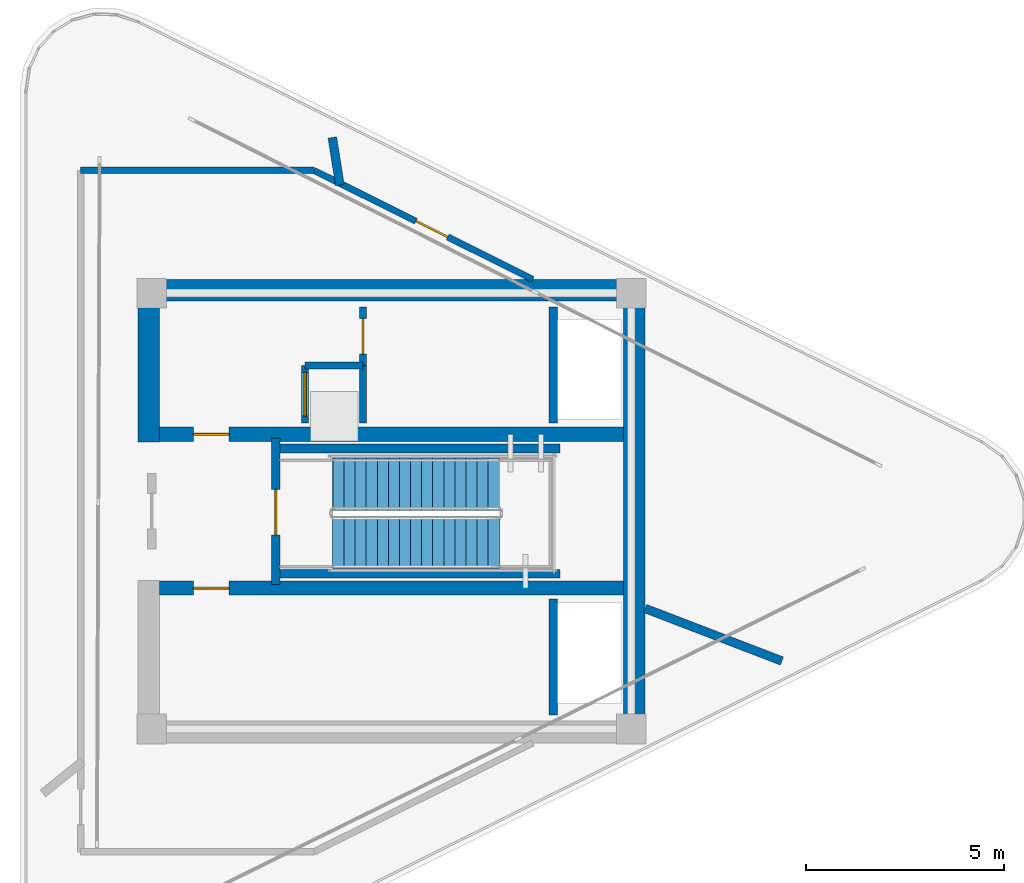
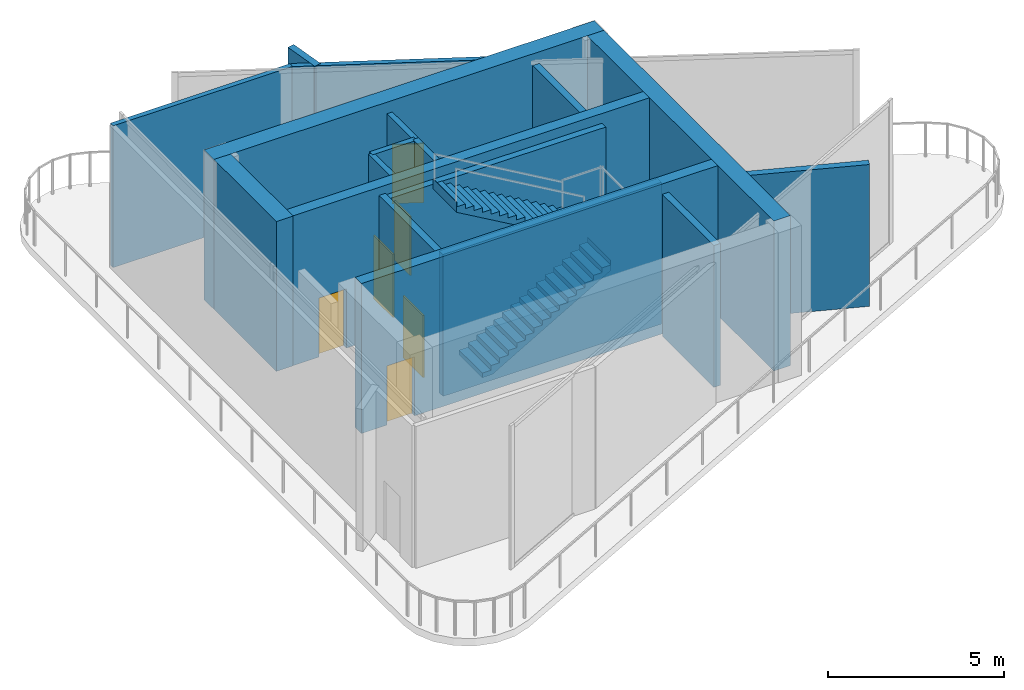
# One storey, part 2 of 5: 18 walls, 6 doors, 2 stair flights, 6 openings, 1 element without a shape of its own.
"""IFC4 building model written with IfcOpenShell, lengths in metres."""

from ifc_helpers import new_model, si_unit, direction, frame, frame_2d, origin, place, context, subcontext, project, spatial, polyline, rectangle, outline, extrude, material, layer, layer_set, type_object, element, fill, aggregate, save


model = new_model("IFC4")

# Units and contexts
model_context = context("Model", 3, precision=1e-05, world=origin(), true_north=direction((0.0, 1.0)))
body_context = subcontext(model_context, "Body", "Model", "MODEL_VIEW")
ifc_project = project(units=[si_unit("LENGTHUNIT", "METRE"), si_unit("AREAUNIT", "SQUARE_METRE"), si_unit("VOLUMEUNIT", "CUBIC_METRE"), si_unit("PLANEANGLEUNIT", "RADIAN"), si_unit("MASSUNIT", "GRAM", prefix="KILO")], contexts=[model_context])

# Site, building, storey
site_placement = place(None, origin())
site = spatial("IfcSite", under=ifc_project, at=site_placement, CompositionType="ELEMENT")
building_placement = place(site_placement, origin())
building = spatial("IfcBuilding", under=site, at=building_placement, Name="Yunling Apex Tower", CompositionType="ELEMENT")
storey_placement = place(building_placement, frame((0.0, 0.0, 328.25)))
storey = spatial("IfcBuildingStorey", under=building, at=storey_placement, Name="C03", CompositionType="ELEMENT", Elevation=328.25)

# Walls
ifc_material_1 = material(Name="Concrete C40", Category="concrete")
ifc_layer_1 = layer(ifc_material_1, 0.550048828125)
ifc_layer_set_1 = layer_set([ifc_layer_1], Name="Concrete C40")
wall_type_1 = type_object("IfcWallType", Name="WL-COR-3", PredefinedType="SHEAR", material=ifc_layer_set_1)
wall_1_placement = place(storey_placement, frame((-6.39990234375, 5.574951171875, 0.0), z_axis=(0.0, 0.0, 1.0), x_axis=(1.0, 0.0, 0.0)))
element("IfcWall", 1, at=wall_1_placement, inside=storey, type_object=wall_type_1, Name="C03 North Core Shear Wall", PredefinedType="SHEAR", context=body_context, shape_type="SweptSolid", body=[
    extrude(rectangle(XDim=12.7998046875, YDim=0.550048828125, at=frame_2d((6.39990234375, 0.0))), origin(), (0.0, 0.0, 1.0), 5.199951171875),
])
wall_2_placement = place(storey_placement, frame((6.125, -5.300048828125, 0.0), z_axis=(0.0, 0.0, 1.0), x_axis=(0.0, 1.0, 0.0)))
element("IfcWall", 2, at=wall_2_placement, inside=storey, type_object=wall_type_1, Name="C03 East Core Shear Wall", PredefinedType="SHEAR", context=body_context, shape_type="SweptSolid", body=[
    extrude(rectangle(XDim=10.60009765625, YDim=0.550048828125, at=frame_2d((5.300048828125, 0.0))), origin(), (0.0, 0.0, 1.0), 5.199951171875),
])
wall_3_placement = place(storey_placement, frame((-6.125, 1.75, 0.0), z_axis=(0.0, 0.0, 1.0), x_axis=(0.0, 1.0, 0.0)))
element("IfcWall", 3, at=wall_3_placement, inside=storey, type_object=wall_type_1, Name="C03 West-North Core Shear Wall", PredefinedType="SHEAR", context=body_context, shape_type="SweptSolid", body=[
    extrude(rectangle(XDim=3.550048828125, YDim=0.550048828125, at=frame_2d((1.77490234375, 0.0))), origin(), (0.0, 0.0, 1.0), 5.199951171875),
])

# Wall, opening, door
ifc_layer_2 = layer(ifc_material_1, 0.360107421875)
ifc_layer_set_2 = layer_set([ifc_layer_2], Name="Concrete C40")
wall_type_2 = type_object("IfcWallType", Name="WL-COR-4", PredefinedType="SHEAR", material=ifc_layer_set_2)
wall_4_placement = place(storey_placement, frame((-5.85009765625, 1.93994140625, 0.0), z_axis=(0.0, 0.0, 1.0), x_axis=(1.0, 0.0, 0.0)))
wall_4 = element("IfcWall", 4, at=wall_4_placement, inside=storey, type_object=wall_type_2, Name="C03 North Internal Core Shear Wall", PredefinedType="SHEAR", context=body_context, shape_type="SweptSolid", body=[
    extrude(rectangle(XDim=11.7001953125, YDim=0.360107421875, at=frame_2d((5.85009765625, 0.0))), origin(), (0.0, 0.0, 1.0), 5.199951171875),
])
opening_1_placement = place(wall_4_placement, frame((0.85009765625, 0.0, 0.0)))
opening_1 = element("IfcOpeningElement", 5, at=opening_1_placement, cuts=wall_4, Name="Opening DR-SHF-1", PredefinedType="OPENING", context=body_context, shape_type="SweptSolid", body=[
    extrude(rectangle(XDim=0.89990234375, YDim=2.050048828125, at=frame_2d((0.449951171875, 1.02490234375))), frame((0.0, 0.18994140625, 0.0), z_axis=(0.0, -1.0, 0.0), x_axis=(1.0, 0.0, 0.0)), (0.0, 0.0, 1.0), 0.380126953125),
])
ifc_material_2 = material(Name="Steel Q355B", Category="steel")
door_type_1 = type_object("IfcDoorType", Name="DR-SHF-1", OperationType="NOTDEFINED", PredefinedType="DOOR", material=ifc_material_2)
door_1_placement = place(opening_1_placement, origin())
door_1 = element("IfcDoor", 6, at=door_1_placement, inside=storey, type_object=door_type_1, Name="C03 North Core Lobby to Fan Plant Door", OperationType="SINGLE_SWING_LEFT", OverallHeight=2.050048828125, OverallWidth=0.89990234375, PredefinedType="DOOR", context=body_context, shape_type="SweptSolid", body=[
    extrude(rectangle(XDim=0.89990234375, YDim=2.050048828125, at=frame_2d((0.449951171875, 1.02490234375))), frame((0.0, 0.02490234375, 0.0), z_axis=(0.0, -1.0, 0.0), x_axis=(1.0, 0.0, 0.0)), (0.0, 0.0, 1.0), 0.050048828125),
])
fill(opening_1, door_1)

wall_5_placement = place(storey_placement, frame((-5.85009765625, -1.93994140625, 0.0), z_axis=(0.0, 0.0, 1.0), x_axis=(1.0, 0.0, 0.0)))
wall_5 = element("IfcWall", 7, at=wall_5_placement, inside=storey, type_object=wall_type_2, Name="C03 South Internal Core Shear Wall", PredefinedType="SHEAR", context=body_context, shape_type="SweptSolid", body=[
    extrude(rectangle(XDim=11.7001953125, YDim=0.360107421875, at=frame_2d((5.85009765625, 0.0))), origin(), (0.0, 0.0, 1.0), 5.199951171875),
])
opening_2_placement = place(wall_5_placement, frame((0.85009765625, 0.0, 0.0)))
opening_2 = element("IfcOpeningElement", 8, at=opening_2_placement, cuts=wall_5, Name="Opening DR-SHF-1", PredefinedType="OPENING", context=body_context, shape_type="SweptSolid", body=[
    extrude(rectangle(XDim=0.89990234375, YDim=2.050048828125, at=frame_2d((0.449951171875, 1.02490234375))), frame((0.0, 0.18994140625, 0.0), z_axis=(0.0, -1.0, 0.0), x_axis=(1.0, 0.0, 0.0)), (0.0, 0.0, 1.0), 0.380126953125),
])
door_2_placement = place(opening_2_placement, origin())
door_2 = element("IfcDoor", 9, at=door_2_placement, inside=storey, type_object=door_type_1, Name="C03 South Core Lobby to Fan Plant Door", OperationType="SINGLE_SWING_RIGHT", OverallHeight=2.050048828125, OverallWidth=0.89990234375, PredefinedType="DOOR", context=body_context, shape_type="SweptSolid", body=[
    extrude(rectangle(XDim=0.89990234375, YDim=2.050048828125, at=frame_2d((0.449951171875, 1.02490234375))), frame((0.0, 0.02490234375, 0.0), z_axis=(0.0, -1.0, 0.0), x_axis=(1.0, 0.0, 0.0)), (0.0, 0.0, 1.0), 0.050048828125),
])
fill(opening_2, door_2)

# Wall
ifc_material_3 = material(Name="Gypsum board acoustic partition")
ifc_layer_3 = layer(ifc_material_3, 0.159912109375)
ifc_layer_set_3 = layer_set([ifc_layer_3], Name="Gypsum board acoustic partition")
wall_type_3 = type_object("IfcWallType", Name="WL-PRT-1", PredefinedType="PARTITIONING", material=ifc_layer_set_3)
wall_6_placement = place(storey_placement, frame((-7.84619140625, 8.60009765625, 0.0), z_axis=(0.0, 0.0, 1.0), x_axis=(1.0, 0.0, 0.0)))
element("IfcWall", 10, at=wall_6_placement, inside=storey, type_object=wall_type_3, Name="WL-C03-CPCR-02", PredefinedType="PARTITIONING", context=body_context, shape_type="SweptSolid", body=[
    extrude(rectangle(XDim=5.8857421875, YDim=0.159912109375, at=frame_2d((2.94287109375, 0.0))), origin(), (0.0, 0.0, 1.0), 4.919921875),
])

# Wall, opening, door
wall_7_placement = place(storey_placement, frame((-1.96044921875, 8.60009765625, 0.0), z_axis=(0.0, 0.0, 1.0), x_axis=(0.895248457737, -0.445567277658, 0.0)))
wall_7 = element("IfcWall", 11, at=wall_7_placement, inside=storey, type_object=wall_type_3, Name="WL-C03-CPCR-03", PredefinedType="PARTITIONING", context=body_context, shape_type="SweptSolid", body=[
    extrude(rectangle(XDim=6.171875, YDim=0.159912109375, at=frame_2d((3.0859375, 0.0))), origin(), (0.0, 0.0, 1.0), 4.919921875),
])
opening_3_placement = place(wall_7_placement, frame((2.8759765625, 0.0, 0.0)))
opening_3 = element("IfcOpeningElement", 12, at=opening_3_placement, cuts=wall_7, Name="Opening DR-SHF-1", PredefinedType="OPENING", context=body_context, shape_type="SweptSolid", body=[
    extrude(rectangle(XDim=0.89990234375, YDim=2.050048828125, at=frame_2d((0.449951171875, 1.02490234375))), frame((0.0, 0.08984375, 0.0), z_axis=(0.0, -1.0, 0.0), x_axis=(1.0, 0.0, 0.0)), (0.0, 0.0, 1.0), 0.179931640625),
])
door_3_placement = place(opening_3_placement, origin())
door_3 = element("IfcDoor", 13, at=door_3_placement, inside=storey, type_object=door_type_1, Name="C03 Gravity Fire Water Tank and Pump Plant Room Door", OperationType="SINGLE_SWING_LEFT", OverallHeight=2.050048828125, OverallWidth=0.89990234375, PredefinedType="DOOR", context=body_context, shape_type="SweptSolid", body=[
    extrude(rectangle(XDim=0.89990234375, YDim=2.050048828125, at=frame_2d((0.449951171875, 1.02490234375))), frame((0.0, 0.02490234375, 0.0), z_axis=(0.0, -1.0, 0.0), x_axis=(1.0, 0.0, 0.0)), (0.0, 0.0, 1.0), 0.050048828125),
])
fill(opening_3, door_3)

ifc_material_4 = material(Name="Autoclaved aerated concrete masonry", Category="masonry")
ifc_layer_4 = layer(ifc_material_4, 0.219970703125)
ifc_layer_set_4 = layer_set([ifc_layer_4], Name="Autoclaved aerated concrete masonry")
wall_type_4 = type_object("IfcWallType", Name="WL-SHF-1", PredefinedType="PLUMBINGWALL", material=ifc_layer_set_4)
wall_8_placement = place(storey_placement, frame((-2.919921875, -1.85009765625, 0.0), z_axis=(0.0, 0.0, 1.0), x_axis=(0.0, 1.0, 0.0)))
wall_8 = element("IfcWall", 14, at=wall_8_placement, inside=storey, type_object=wall_type_4, Name="WL-STC1-W-C03", PredefinedType="PLUMBINGWALL", context=body_context, shape_type="SweptSolid", body=[
    extrude(rectangle(XDim=3.7001953125, YDim=0.219970703125, at=frame_2d((1.85009765625, 0.0))), origin(), (0.0, 0.0, 1.0), 4.919921875),
])
opening_4_placement = place(wall_8_placement, frame((1.25, 0.0, 0.0)))
opening_4 = element("IfcOpeningElement", 15, at=opening_4_placement, cuts=wall_8, Name="Opening DR-ST-1", PredefinedType="OPENING", context=body_context, shape_type="SweptSolid", body=[
    extrude(rectangle(XDim=1.14990234375, YDim=2.14990234375, at=frame_2d((0.574951171875, 1.074951171875))), frame((0.0, 0.1201171875, 0.0), z_axis=(0.0, -1.0, 0.0), x_axis=(1.0, 0.0, 0.0)), (0.0, 0.0, 1.0), 0.239990234375),
])
door_type_2 = type_object("IfcDoorType", Name="DR-ST-1", OperationType="NOTDEFINED", PredefinedType="DOOR", material=ifc_material_2)
door_4_placement = place(opening_4_placement, origin())
door_4 = element("IfcDoor", 16, at=door_4_placement, inside=storey, type_object=door_type_2, Name="C03 Crown Stair Door", OperationType="SINGLE_SWING_RIGHT", OverallHeight=2.14990234375, OverallWidth=1.14990234375, PredefinedType="DOOR", context=body_context, shape_type="SweptSolid", body=[
    extrude(rectangle(XDim=1.14990234375, YDim=2.14990234375, at=frame_2d((0.574951171875, 1.074951171875))), frame((0.0, 0.02490234375, 0.0), z_axis=(0.0, -1.0, 0.0), x_axis=(1.0, 0.0, 0.0)), (0.0, 0.0, 1.0), 0.050048828125),
])
fill(opening_4, door_4)

# Walls
for number, where, z_axis, x_axis, name in (
    (17, (-2.919921875, 1.580078125, 0.0), (0.0, 0.0, 1.0), (1.0, 0.0, 0.0), "WL-STC1-N-C03"),
    (18, (-2.919921875, -1.580078125, 0.0), (0.0, 0.0, 1.0), (1.0, 0.0, 0.0), "WL-STC1-S-C03"),
):
    element("IfcWall", number, at=place(storey_placement, frame(where, z_axis=z_axis, x_axis=x_axis)), inside=storey, type_object=wall_type_4, Name=name, PredefinedType="PLUMBINGWALL", context=body_context, shape_type="SweptSolid", body=[
        extrude(rectangle(XDim=7.169921875, YDim=0.219970703125, at=frame_2d((3.5849609375, 0.0))), origin(), (0.0, 0.0, 1.0), 4.919921875),
    ])
for number, where, z_axis, x_axis, name in (
    (19, (4.080078125, 2.219970703125, 0.0), (0.0, 0.0, 1.0), (0.0, 1.0, 0.0), "WL-OV1-W-C03"),
    (20, (4.080078125, -5.14990234375, 0.0), (0.0, 0.0, 1.0), (0.0, 1.0, 0.0), "WL-OV2-W-C03"),
):
    element("IfcWall", number, at=place(storey_placement, frame(where, z_axis=z_axis, x_axis=x_axis)), inside=storey, type_object=wall_type_4, Name=name, PredefinedType="PLUMBINGWALL", context=body_context, shape_type="SweptSolid", body=[
        extrude(rectangle(XDim=2.929931640625, YDim=0.219970703125, at=frame_2d((1.46484375, 0.0))), origin(), (0.0, 0.0, 1.0), 4.919921875),
    ])
wall_9_placement = place(storey_placement, frame((-1.30322265625, 8.228271484375, 0.0), z_axis=(0.0, 0.0, 1.0), x_axis=(-0.156478301394, 0.987681396602, 0.0)))
element("IfcWall", 21, at=wall_9_placement, inside=storey, type_object=wall_type_4, Name="WL-C03-CDIV-99", PredefinedType="PLUMBINGWALL", context=body_context, shape_type="SweptSolid", body=[
    extrude(rectangle(XDim=1.21533203125, YDim=0.219970703125, at=frame_2d((0.607666015625, 0.0))), origin(), (0.0, 0.0, 1.0), 4.919921875),
])
wall_10_placement = place(storey_placement, frame((6.39990234375, -2.456787109375, 0.0), z_axis=(0.0, 0.0, 1.0), x_axis=(0.933585314896, -0.358355214571, 0.0)))
element("IfcWall", 22, at=wall_10_placement, inside=storey, type_object=wall_type_4, Name="WL-C03-CDIV-339", PredefinedType="PLUMBINGWALL", context=body_context, shape_type="SweptSolid", body=[
    extrude(rectangle(XDim=3.697998046875, YDim=0.219970703125, at=frame_2d((1.84912109375, 0.0))), origin(), (0.0, 0.0, 1.0), 4.919921875),
])

# Wall, opening, door
ifc_layer_5 = layer(ifc_material_4, 0.179931640625)
ifc_layer_set_5 = layer_set([ifc_layer_5], Name="Autoclaved aerated concrete masonry")
wall_type_5 = type_object("IfcWallType", Name="WL-SHF-2", PredefinedType="PLUMBINGWALL", material=ifc_layer_set_5)
wall_11_placement = place(storey_placement, frame((-2.179931640625, 2.219970703125, 0.0), z_axis=(0.0, 0.0, 1.0), x_axis=(0.0, 1.0, 0.0)))
wall_11 = element("IfcWall", 23, at=wall_11_placement, inside=storey, type_object=wall_type_5, Name="WL-SVLC1-W-C03", PredefinedType="PLUMBINGWALL", context=body_context, shape_type="SweptSolid", body=[
    extrude(rectangle(XDim=1.4599609375, YDim=0.179931640625, at=frame_2d((0.72998046875, 0.0))), origin(), (0.0, 0.0, 1.0), 4.919921875),
])
opening_5_placement = place(wall_11_placement, frame((0.179931640625, 0.0, 0.0)))
opening_5 = element("IfcOpeningElement", 24, at=opening_5_placement, cuts=wall_11, Name="Opening LD-PAS-1", PredefinedType="OPENING", context=body_context, shape_type="SweptSolid", body=[
    extrude(rectangle(XDim=1.10009765625, YDim=2.199951171875, at=frame_2d((0.550048828125, 1.10009765625))), frame((0.0, 0.10009765625, 0.0), z_axis=(0.0, -1.0, 0.0), x_axis=(1.0, 0.0, 0.0)), (0.0, 0.0, 1.0), 0.199951171875),
])
ifc_material_5 = material(Name="Silver anodised aluminium", Category="aluminium")
door_type_3 = type_object("IfcDoorType", Name="LD-PAS-1", OperationType="DOUBLE_DOOR_SLIDING", PredefinedType="DOOR", material=ifc_material_5)
door_5_placement = place(opening_5_placement, origin())
door_5 = element("IfcDoor", 25, at=door_5_placement, inside=storey, type_object=door_type_3, Name="C03 Lift SVL-C1 Landing Door", OperationType="DOUBLE_DOOR_SLIDING", OverallHeight=2.199951171875, OverallWidth=1.10009765625, PredefinedType="DOOR", context=body_context, shape_type="SweptSolid", body=[
    extrude(rectangle(XDim=1.10009765625, YDim=2.199951171875, at=frame_2d((0.550048828125, 1.10009765625))), frame((0.0, 0.02490234375, 0.0), z_axis=(0.0, -1.0, 0.0), x_axis=(1.0, 0.0, 0.0)), (0.0, 0.0, 1.0), 0.050048828125),
])
fill(opening_5, door_5)

# Walls
for number, where, z_axis, x_axis, name in (
    (26, (-2.179931640625, 3.679931640625, 0.0), (0.0, 0.0, 1.0), (1.0, 0.0, 0.0), "WL-SVLC1-N-C03"),
    (27, (-0.719970703125, 2.219970703125, 0.0), (0.0, 0.0, 1.0), (0.0, 1.0, 0.0), "WL-SVLC1-E-C03"),
):
    element("IfcWall", number, at=place(storey_placement, frame(where, z_axis=z_axis, x_axis=x_axis)), inside=storey, type_object=wall_type_5, Name=name, PredefinedType="PLUMBINGWALL", context=body_context, shape_type="SweptSolid", body=[
        extrude(rectangle(XDim=1.4599609375, YDim=0.179931640625, at=frame_2d((0.72998046875, 0.0))), origin(), (0.0, 0.0, 1.0), 4.919921875),
    ])

# Wall, opening, door
wall_12_placement = place(storey_placement, frame((-0.719970703125, 3.679931640625, 0.0), z_axis=(0.0, 0.0, 1.0), x_axis=(0.0, 1.0, 0.0)))
wall_12 = element("IfcWall", 28, at=wall_12_placement, inside=storey, type_object=wall_type_5, Name="WL-C03-PNE", PredefinedType="PLUMBINGWALL", context=body_context, shape_type="SweptSolid", body=[
    extrude(rectangle(XDim=1.469970703125, YDim=0.179931640625, at=frame_2d((0.73486328125, 0.0))), origin(), (0.0, 0.0, 1.0), 4.919921875),
])
opening_6_placement = place(wall_12_placement, frame((0.280029296875, 0.0, 0.0)))
opening_6 = element("IfcOpeningElement", 29, at=opening_6_placement, cuts=wall_12, Name="Opening DR-SHF-1", PredefinedType="OPENING", context=body_context, shape_type="SweptSolid", body=[
    extrude(rectangle(XDim=0.89990234375, YDim=2.050048828125, at=frame_2d((0.449951171875, 1.02490234375))), frame((0.0, 0.10009765625, 0.0), z_axis=(0.0, -1.0, 0.0), x_axis=(1.0, 0.0, 0.0)), (0.0, 0.0, 1.0), 0.199951171875),
])
door_6_placement = place(opening_6_placement, origin())
door_6 = element("IfcDoor", 30, at=door_6_placement, inside=storey, type_object=door_type_1, Name="C03 North-East Fan Plant Door", OperationType="SINGLE_SWING_LEFT", OverallHeight=2.050048828125, OverallWidth=0.89990234375, PredefinedType="DOOR", context=body_context, shape_type="SweptSolid", body=[
    extrude(rectangle(XDim=0.89990234375, YDim=2.050048828125, at=frame_2d((0.449951171875, 1.02490234375))), frame((0.0, 0.02490234375, 0.0), z_axis=(0.0, -1.0, 0.0), x_axis=(1.0, 0.0, 0.0)), (0.0, 0.0, 1.0), 0.050048828125),
])
fill(opening_6, door_6)

# Stair, stair flights
stair_type = type_object("IfcStairType", Name="ST-CRN-1", PredefinedType="STRAIGHT_RUN_STAIR", material=ifc_material_1)
stair_placement = place(storey_placement, origin())
stair = element("IfcStair", 31, at=stair_placement, inside=storey, type_object=stair_type, Name="C03 Crown Maintenance Access Stair ST-C1", PredefinedType="HALF_TURN_STAIR")
stair_flight_type = type_object("IfcStairFlightType", Name="SFL-CRN-1", PredefinedType="STRAIGHT", material=ifc_material_1)
stair_flight_1_placement = place(storey_placement, frame((-1.47998046875, -0.7900390625, 0.0), z_axis=(0.0, 0.0, 1.0), x_axis=(1.0, 0.0, 0.0)))
stair_flight_1 = element("IfcStairFlight", 32, at=stair_flight_1_placement, type_object=stair_flight_type, Name="ST-C1 flight 1", NumberOfRisers=16, NumberOfTreads=15, PredefinedType="STRAIGHT", RiserHeight=0.1625, TreadLength=0.28, context=body_context, shape_type="SweptSolid", body=[
    extrude(outline(polyline([(-0.011962890625, 0.0), (-0.011962890625, 0.16259765625), (0.0, 0.16259765625), (0.280029296875, 0.16259765625), (0.280029296875, 0.324951171875), (0.56005859375, 0.324951171875), (0.56005859375, 0.487548828125), (0.840087890625, 0.487548828125), (0.840087890625, 0.64990234375), (1.1201171875, 0.64990234375), (1.1201171875, 0.8125), (1.39990234375, 0.8125), (1.39990234375, 0.97509765625), (1.679931640625, 0.97509765625), (1.679931640625, 1.137451171875), (1.9599609375, 1.137451171875), (1.9599609375, 1.300048828125), (2.239990234375, 1.300048828125), (2.239990234375, 1.46240234375), (2.52001953125, 1.46240234375), (2.52001953125, 1.625), (2.800048828125, 1.625), (2.800048828125, 1.78759765625), (3.080078125, 1.78759765625), (3.080078125, 1.949951171875), (3.360107421875, 1.949951171875), (3.360107421875, 2.112548828125), (3.639892578125, 2.112548828125), (3.639892578125, 2.27490234375), (3.919921875, 2.27490234375), (3.919921875, 2.4375), (4.199951171875, 2.4375), (4.199951171875, 2.60009765625), (4.2119140625, 2.60009765625), (4.2119140625, 2.252685546875), (0.318603515625, 0.0), (-0.011962890625, 0.0)])), frame((0.0, 0.66015625, 0.0), z_axis=(0.0, -1.0, 0.0), x_axis=(1.0, 0.0, 0.0)), (0.0, 0.0, 1.0), 1.320068359375),
])
stair_flight_2_placement = place(storey_placement, frame((2.719970703125, 0.679931640625, 2.60009765625), z_axis=(0.0, 0.0, 1.0), x_axis=(-1.0, 0.0, 0.0)))
stair_flight_2 = element("IfcStairFlight", 33, at=stair_flight_2_placement, type_object=stair_flight_type, Name="ST-C1 flight 2", NumberOfRisers=16, NumberOfTreads=15, PredefinedType="STRAIGHT", RiserHeight=0.1625, TreadLength=0.28, context=body_context, shape_type="SweptSolid", body=[
    extrude(outline(polyline([(-0.011962890625, 0.0), (-0.011962890625, 0.16259765625), (0.0, 0.16259765625), (0.280029296875, 0.16259765625), (0.280029296875, 0.324951171875), (0.56005859375, 0.324951171875), (0.56005859375, 0.487548828125), (0.840087890625, 0.487548828125), (0.840087890625, 0.64990234375), (1.1201171875, 0.64990234375), (1.1201171875, 0.8125), (1.39990234375, 0.8125), (1.39990234375, 0.97509765625), (1.679931640625, 0.97509765625), (1.679931640625, 1.137451171875), (1.9599609375, 1.137451171875), (1.9599609375, 1.300048828125), (2.239990234375, 1.300048828125), (2.239990234375, 1.46240234375), (2.52001953125, 1.46240234375), (2.52001953125, 1.625), (2.800048828125, 1.625), (2.800048828125, 1.78759765625), (3.080078125, 1.78759765625), (3.080078125, 1.949951171875), (3.360107421875, 1.949951171875), (3.360107421875, 2.112548828125), (3.639892578125, 2.112548828125), (3.639892578125, 2.27490234375), (3.919921875, 2.27490234375), (3.919921875, 2.4375), (4.199951171875, 2.4375), (4.199951171875, 2.60009765625), (4.2119140625, 2.60009765625), (4.2119140625, 2.252685546875), (0.318603515625, 0.0), (-0.011962890625, 0.0)])), frame((0.0, 0.66015625, 0.0), z_axis=(0.0, -1.0, 0.0), x_axis=(1.0, 0.0, 0.0)), (0.0, 0.0, 1.0), 1.320068359375),
])
aggregate(stair, [stair_flight_1, stair_flight_2])

save(model, "model.ifc")
